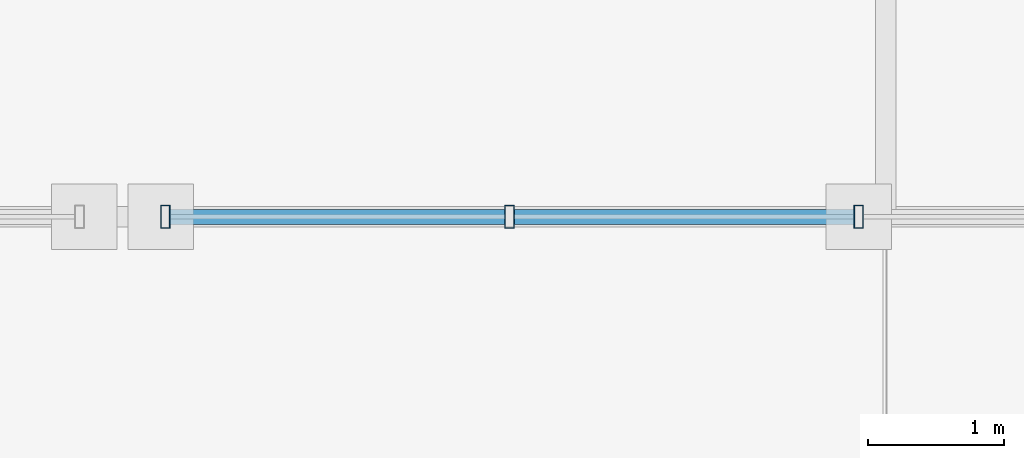
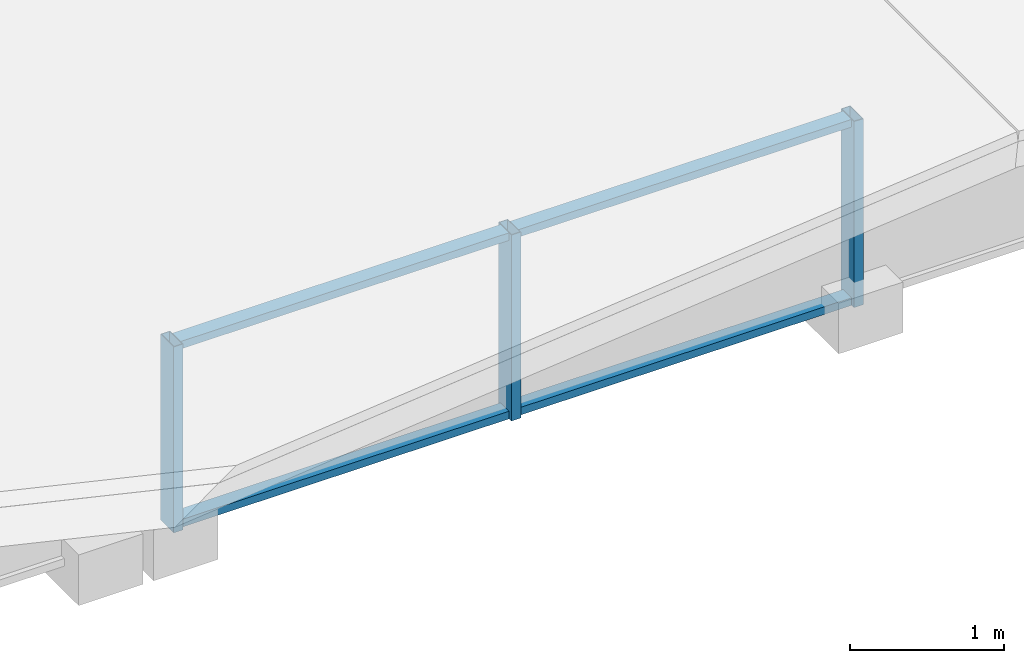
# One storey, part 44 of 117: 7 members, 1 element without a shape of its own.
"""IFC4 building model written with IfcOpenShell, lengths in metres."""

import ifcopenshell
import ifcopenshell.guid

model = None  # the IFC model being written
_history = None  # IfcOwnerHistory: only IFC2X3 demands one
_inside = {}  # id of a spatial element -> (the spatial element, [elements in it])
_under = {}  # id of a project, library or spatial element -> (it, [spatial elements below it])
_declared = {}  # id of a project -> (the project, [libraries it declares])
_typed = {}  # id of a type object -> (the type object, [elements of that type])
_made_of = {}  # id of a material, layer set ... -> (it, [elements and type objects made of it])


def new_model(schema):
    """Start an empty IFC model of exactly this schema.

    Asked for "IFC4X3", IfcOpenShell would pick the latest addendum, in which some entities
    have other attributes; the version numbers below select the first issue.
    IFC2X3 requires an IfcOwnerHistory on every rooted entity: one is made here for all.
    """
    global model, _history
    if schema == "IFC4X3":
        model = ifcopenshell.file(schema_version=(4, 3, 0, 0))
    else:
        model = ifcopenshell.file(schema=schema)
    _inside.clear()
    _under.clear()
    _declared.clear()
    _typed.clear()
    _made_of.clear()
    _history = None
    if model.schema == "IFC2X3":
        org = make("IfcOrganization", Name="unknown")
        user = make(
            "IfcPersonAndOrganization",
            ThePerson=make("IfcPerson", FamilyName="unknown"),
            TheOrganization=org,
        )
        app = make(
            "IfcApplication",
            ApplicationDeveloper=org,
            Version="unknown",
            ApplicationFullName="unknown",
            ApplicationIdentifier="unknown",
        )
        _history = make(
            "IfcOwnerHistory",
            OwningUser=user,
            OwningApplication=app,
            ChangeAction="ADDED",
            CreationDate=0,
        )
    return model


def make(cls, **values):
    """One entity of the class cls with the attributes given. An attribute that is None is left unset."""
    return model.create_entity(
        cls, **{name: value for name, value in values.items() if value is not None}
    )


def rooted(cls, **values):
    """An entity with a GlobalId (a new one), such as an element, a storey or a relation."""
    return make(cls, GlobalId=ifcopenshell.guid.new(), OwnerHistory=_history, **values)


def si_unit(unit_type, name, prefix=None):
    """IfcSIUnit, for example si_unit("LENGTHUNIT", "METRE", prefix="MILLI")."""
    return make("IfcSIUnit", UnitType=unit_type, Prefix=prefix, Name=name)


def assignment(units):
    """IfcUnitAssignment: the units of a project."""
    return None if units is None else make("IfcUnitAssignment", Units=units)


def point(xyz):
    """IfcCartesianPoint."""
    return None if xyz is None else make("IfcCartesianPoint", Coordinates=xyz)


def direction(xyz):
    """IfcDirection."""
    return None if xyz is None else make("IfcDirection", DirectionRatios=xyz)


def frame(location, z_axis=None, x_axis=None):
    """IfcAxis2Placement3D, a coordinate frame: its origin and axes. An axis left out is left unset."""
    return make(
        "IfcAxis2Placement3D",
        Location=point(location),
        Axis=direction(z_axis),
        RefDirection=direction(x_axis),
    )


def frame_2d(location, x_axis=None):
    """IfcAxis2Placement2D, a coordinate frame in the plane: its origin and x axis."""
    return make(
        "IfcAxis2Placement2D", Location=point(location), RefDirection=direction(x_axis)
    )


def origin():
    """The frame at (0, 0, 0) with its axes left unset."""
    return frame((0.0, 0.0, 0.0))


def origin_2d():
    """The frame at (0, 0) in the plane with its x axis left unset."""
    return frame_2d((0.0, 0.0))


def place(relative_to, where):
    """IfcLocalPlacement: puts the frame where relative to a parent placement (None: the world)."""
    return make(
        "IfcLocalPlacement", PlacementRelTo=relative_to, RelativePlacement=where
    )


def context(
    kind, dimensions, precision=None, world=None, true_north=None, identifier=None
):
    """IfcGeometricRepresentationContext, for example the 3D "Model" context."""
    return make(
        "IfcGeometricRepresentationContext",
        ContextIdentifier=identifier,
        ContextType=kind,
        CoordinateSpaceDimension=dimensions,
        Precision=precision,
        WorldCoordinateSystem=world,
        TrueNorth=true_north,
    )


def subcontext(parent, identifier, kind, view, scale=None):
    """IfcGeometricRepresentationSubContext, for example "Body" below "Model"."""
    return make(
        "IfcGeometricRepresentationSubContext",
        ContextIdentifier=identifier,
        ContextType=kind,
        ParentContext=parent,
        TargetScale=scale,
        TargetView=view,
    )


def project(units=None, contexts=None):
    """IfcProject with its units and contexts."""
    return rooted(
        "IfcProject",
        Name="project",
        RepresentationContexts=contexts,
        UnitsInContext=assignment(units),
    )


def spatial(cls, under=None, at=None, **own):
    """A site, building, storey or space (cls), placed at a placement, below another one or the project."""
    s = rooted(cls, ObjectPlacement=at, **own)
    if under is not None:
        _under.setdefault(under.id(), (under, []))[1].append(s)
    return s


def profile(cls, at=None, kind="AREA", **sizes):
    """A parametric profile (cls). Its sizes go by their IFC names, for example OverallWidth=200.0."""
    return make(cls, ProfileType=kind, Position=at, **sizes)


def hollow_rectangle(**sizes):
    """IfcRectangleHollowProfileDef."""
    return profile("IfcRectangleHollowProfileDef", **sizes)


def extrude(swept, where, along, depth):
    """IfcExtrudedAreaSolid: the profile swept, set in the frame where, extruded along a direction by depth."""
    return make(
        "IfcExtrudedAreaSolid",
        SweptArea=swept,
        Position=where,
        ExtrudedDirection=direction(along),
        Depth=depth,
    )


def shape(context_of_items, identifier, shape_type, items):
    """IfcShapeRepresentation: the items that make up one representation, for example the "Body"."""
    return make(
        "IfcShapeRepresentation",
        ContextOfItems=context_of_items,
        RepresentationIdentifier=identifier,
        RepresentationType=shape_type,
        Items=items,
    )


def material(Name=None, Category=None):
    """IfcMaterial."""
    return make("IfcMaterial", Name=Name, Category=Category)


def material_profile(
    of_material, cross_section, Name=None, Category=None, Priority=None
):
    """IfcMaterialProfile: a cross section and its material."""
    return make(
        "IfcMaterialProfile",
        Name=Name,
        Material=of_material,
        Profile=cross_section,
        Priority=Priority,
        Category=Category,
    )


def profile_set(profiles, Name=None, composite=None):
    """IfcMaterialProfileSet."""
    return make(
        "IfcMaterialProfileSet",
        Name=Name,
        MaterialProfiles=profiles,
        CompositeProfile=composite,
    )


def made_of(thing, what):
    """Note that an element or type object is made of a material, layer set ...; save() writes the relation."""
    if what is not None:
        _made_of.setdefault(what.id(), (what, []))[1].append(thing)
    return thing


def type_object(cls, material=None, **own):
    """A type object (cls), such as IfcWallType, which elements share."""
    return made_of(rooted(cls, **own), material)


def element(
    cls,
    number,
    at=None,
    inside=None,
    cuts=None,
    type_object=None,
    material=None,
    context=None,
    identifier="Body",
    shape_type=None,
    held_by="IfcProductDefinitionShape",
    body=None,
    shapes=None,
    **own,
):
    """One element of the class cls, such as IfcWall. Its Tag is "e" and its number.

    at: its placement. inside: the storey or other place that contains it. cuts: it is an
    opening in that element (IfcRelVoidsElement). A single representation is given by context,
    identifier, shape_type and body (its items); several are given by shapes. held_by: the class
    of the entity that holds the representations. save() writes the other relations.
    """
    e = rooted(cls, Tag="e%d" % number, ObjectPlacement=at, **own)
    if body is not None:
        shapes = [shape(context, identifier, shape_type, body)]
    if shapes is not None:
        e.Representation = make(held_by, Representations=shapes)
    if inside is not None:
        _inside.setdefault(inside.id(), (inside, []))[1].append(e)
    if cuts is not None:
        rooted(
            "IfcRelVoidsElement", RelatingBuildingElement=cuts, RelatedOpeningElement=e
        )
    if type_object is not None:
        _typed.setdefault(type_object.id(), (type_object, []))[1].append(e)
    return made_of(e, material)


def aggregate(whole, parts):
    """IfcRelAggregates: a whole, such as a stair, and the parts it consists of."""
    return rooted("IfcRelAggregates", RelatingObject=whole, RelatedObjects=parts)


def save(model, path):
    """Write the relations noted so far, then the file.

    IfcRelAggregates (storeys below a building ...), IfcRelContainedInSpatialStructure (elements
    in a storey), IfcRelDefinesByType, IfcRelAssociatesMaterial and IfcRelDeclares: one each for
    every whole, place, type object, material and project.
    """
    for whole, parts in _under.values():
        aggregate(whole, parts)
    for where, things in _inside.values():
        rooted(
            "IfcRelContainedInSpatialStructure",
            RelatedElements=things,
            RelatingStructure=where,
        )
    for kind, things in _typed.values():
        rooted("IfcRelDefinesByType", RelatedObjects=things, RelatingType=kind)
    for what, things in _made_of.values():
        rooted("IfcRelAssociatesMaterial", RelatedObjects=things, RelatingMaterial=what)
    for by, libraries in _declared.values():
        rooted("IfcRelDeclares", RelatingContext=by, RelatedDefinitions=libraries)
    model.write(path)


model = new_model("IFC4")

# Units and contexts
model_context = context("Model", 3, precision=1e-05, world=origin(), true_north=direction((0.0, 1.0)))
body_context = subcontext(model_context, "Body", "Model", "MODEL_VIEW")
ifc_project = project(units=[si_unit("LENGTHUNIT", "METRE"), si_unit("AREAUNIT", "SQUARE_METRE"), si_unit("VOLUMEUNIT", "CUBIC_METRE"), si_unit("PLANEANGLEUNIT", "RADIAN"), si_unit("MASSUNIT", "GRAM", prefix="KILO")], contexts=[model_context])

# Site, building, storey
site_placement = place(None, origin())
site = spatial("IfcSite", under=ifc_project, at=site_placement, CompositionType="ELEMENT")
building_placement = place(site_placement, origin())
building = spatial("IfcBuilding", under=site, at=building_placement, Name="Merenkruunu Market Hall", CompositionType="ELEMENT")
storey_placement = place(building_placement, frame((0.0, 0.0, 22.800048828125)))
storey = spatial("IfcBuildingStorey", under=building, at=storey_placement, Name="RF", CompositionType="ELEMENT", Elevation=22.800048828125)

# Curtain wall, members
ifc_material = material(Name="Powder-coated aluminium", Category="aluminium")
curtain_wall_type = type_object("IfcCurtainWallType", Name="Clerestory Curtain Band CL03", PredefinedType="USERDEFINED", material=ifc_material)
curtain_wall_placement = place(storey_placement, origin())
curtain_wall = element("IfcCurtainWall", 1, at=curtain_wall_placement, inside=storey, type_object=curtain_wall_type, Name="CW-RF-CWM04-244", ObjectType="CLERESTORY_BAND", PredefinedType="USERDEFINED")
ifc_material_profile_1 = material_profile(ifc_material, hollow_rectangle(XDim=0.070068359375, YDim=0.169921875, WallThickness=0.0048828125, at=origin_2d()), Name="ALU 70x170x5")
ifc_profile_set_1 = profile_set([ifc_material_profile_1], Name="Powder-coated aluminium")
member_type_1 = type_object("IfcMemberType", Name="Curtain Wall Mullion CWM04", PredefinedType="MULLION", material=ifc_profile_set_1)
member_1_placement = place(storey_placement, frame((175.800048828125, 0.0, -1.719970703125), z_axis=(0.0, 0.0, 1.0), x_axis=(-1.0, 0.0, 0.0)))
member_1 = element("IfcMember", 2, at=member_1_placement, type_object=member_type_1, Name="CL03 mullion 3", PredefinedType="MULLION", context=body_context, shape_type="SweptSolid", body=[
    extrude(hollow_rectangle(XDim=0.070068359375, YDim=0.169921875, WallThickness=0.0048828125, at=origin_2d()), origin(), (0.0, 0.0, 1.0), 1.469970703125),
])
member_2_placement = place(storey_placement, frame((173.239990234375, 0.0, -1.719970703125), z_axis=(0.0, 0.0, 1.0), x_axis=(-1.0, 0.0, 0.0)))
member_2 = element("IfcMember", 3, at=member_2_placement, type_object=member_type_1, Name="CL03 mullion 4", PredefinedType="MULLION", context=body_context, shape_type="SweptSolid", body=[
    extrude(hollow_rectangle(XDim=0.070068359375, YDim=0.169921875, WallThickness=0.0048828125, at=origin_2d()), origin(), (0.0, 0.0, 1.0), 1.469970703125),
])
member_3_placement = place(storey_placement, frame((170.715087890625, 0.0, -1.719970703125), z_axis=(0.0, 0.0, 1.0), x_axis=(-1.0, 0.0, 0.0)))
member_3 = element("IfcMember", 4, at=member_3_placement, type_object=member_type_1, Name="CL03 mullion 5", PredefinedType="MULLION", context=body_context, shape_type="SweptSolid", body=[
    extrude(hollow_rectangle(XDim=0.070068359375, YDim=0.169921875, WallThickness=0.0048828125, at=origin_2d()), origin(), (0.0, 0.0, 1.0), 1.469970703125),
])
ifc_material_profile_2 = material_profile(ifc_material, hollow_rectangle(XDim=0.06005859375, YDim=0.110107421875, WallThickness=0.00390625, at=origin_2d()), Name="ALU 60x110x4")
ifc_profile_set_2 = profile_set([ifc_material_profile_2], Name="Powder-coated aluminium")
member_type_2 = type_object("IfcMemberType", Name="Curtain Wall Transom CWT03", PredefinedType="USERDEFINED", material=ifc_profile_set_2)
member_4_placement = place(storey_placement, frame((175.764892578125, 0.0, -1.68994140625), z_axis=(-1.0, 0.0, 0.0), x_axis=(0.0, 0.0, 1.0)))
member_4 = element("IfcMember", 5, at=member_4_placement, type_object=member_type_2, Name="CL03 transom 3.1", ObjectType="TRANSOM", PredefinedType="USERDEFINED", context=body_context, shape_type="SweptSolid", body=[
    extrude(hollow_rectangle(XDim=0.06005859375, YDim=0.110107421875, WallThickness=0.00390625, at=origin_2d()), origin(), (0.0, 0.0, 1.0), 2.489990234375),
])
member_5_placement = place(storey_placement, frame((175.764892578125, 0.0, -0.280029296875), z_axis=(-1.0, 0.0, 0.0), x_axis=(0.0, 0.0, 1.0)))
member_5 = element("IfcMember", 6, at=member_5_placement, type_object=member_type_2, Name="CL03 transom 3.2", ObjectType="TRANSOM", PredefinedType="USERDEFINED", context=body_context, shape_type="SweptSolid", body=[
    extrude(hollow_rectangle(XDim=0.06005859375, YDim=0.110107421875, WallThickness=0.00390625, at=origin_2d()), origin(), (0.0, 0.0, 1.0), 2.489990234375),
])
member_6_placement = place(storey_placement, frame((173.205078125, 0.0, -1.68994140625), z_axis=(-1.0, 0.0, 0.0), x_axis=(0.0, 0.0, 1.0)))
member_6 = element("IfcMember", 7, at=member_6_placement, type_object=member_type_2, Name="CL03 transom 4.1", ObjectType="TRANSOM", PredefinedType="USERDEFINED", context=body_context, shape_type="SweptSolid", body=[
    extrude(hollow_rectangle(XDim=0.06005859375, YDim=0.110107421875, WallThickness=0.00390625, at=origin_2d()), origin(), (0.0, 0.0, 1.0), 2.455078125),
])
member_7_placement = place(storey_placement, frame((173.205078125, 0.0, -0.280029296875), z_axis=(-1.0, 0.0, 0.0), x_axis=(0.0, 0.0, 1.0)))
member_7 = element("IfcMember", 8, at=member_7_placement, type_object=member_type_2, Name="CL03 transom 4.2", ObjectType="TRANSOM", PredefinedType="USERDEFINED", context=body_context, shape_type="SweptSolid", body=[
    extrude(hollow_rectangle(XDim=0.06005859375, YDim=0.110107421875, WallThickness=0.00390625, at=origin_2d()), origin(), (0.0, 0.0, 1.0), 2.455078125),
])
aggregate(curtain_wall, [member_1, member_2, member_3, member_4, member_5, member_6, member_7])

save(model, "model.ifc")
